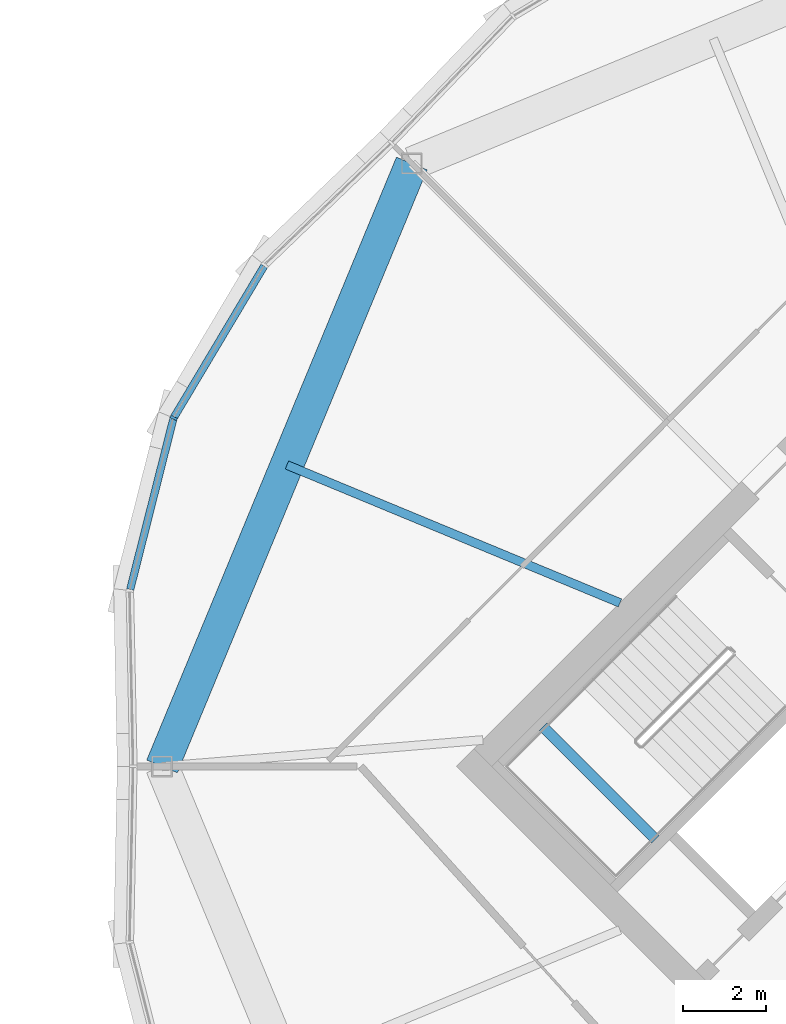
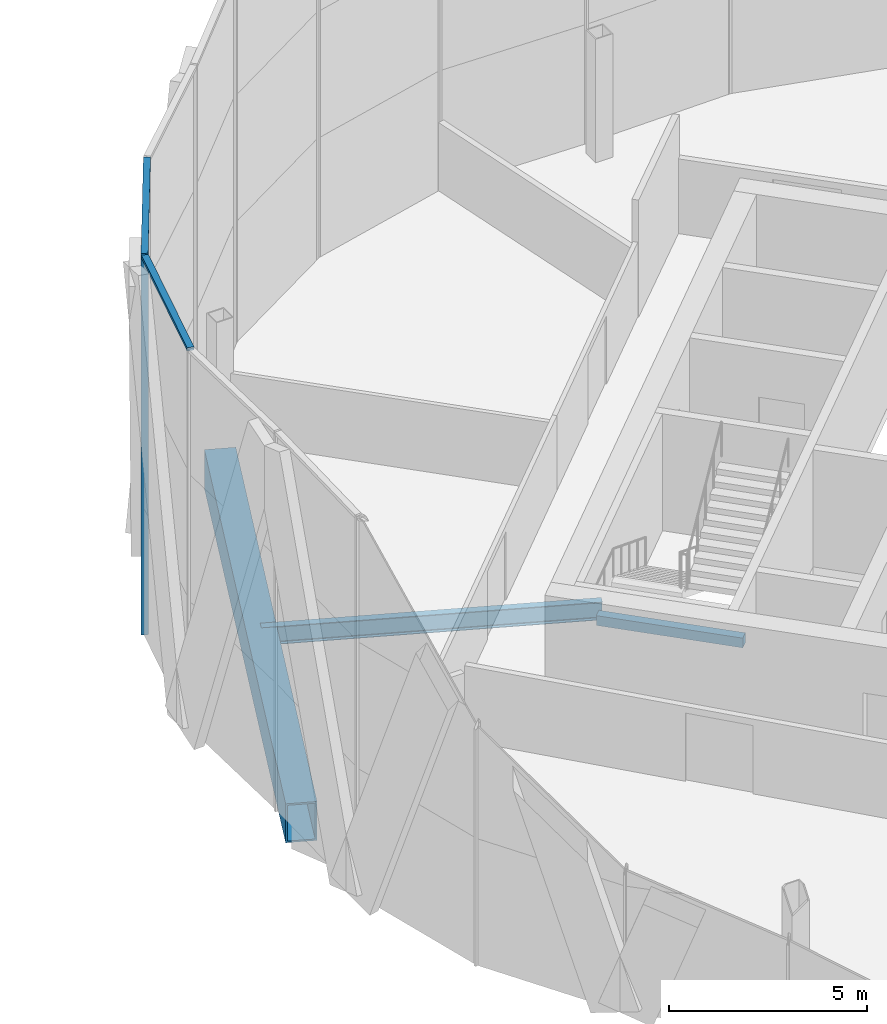
# One storey, part 10 of 25: 3 beams, 3 members, 1 element without a shape of its own.
"""IFC4 building model written with IfcOpenShell, lengths in metres."""

from ifc_helpers import new_model, si_unit, direction, frame, origin, origin_2d, place, context, subcontext, project, spatial, rectangle, hollow_rectangle, i_section, extrude, material, material_profile, profile_set, type_object, element, aggregate, save


model = new_model("IFC4")

# Units and contexts
model_context = context("Model", 3, precision=1e-05, world=origin(), true_north=direction((0.0, 1.0)))
body_context = subcontext(model_context, "Body", "Model", "MODEL_VIEW")
ifc_project = project(units=[si_unit("LENGTHUNIT", "METRE"), si_unit("AREAUNIT", "SQUARE_METRE"), si_unit("VOLUMEUNIT", "CUBIC_METRE"), si_unit("PLANEANGLEUNIT", "RADIAN"), si_unit("MASSUNIT", "GRAM", prefix="KILO")], contexts=[model_context])

# Site, building, storey
site_placement = place(None, origin())
site = spatial("IfcSite", under=ifc_project, at=site_placement, CompositionType="ELEMENT")
building_placement = place(site_placement, origin())
building = spatial("IfcBuilding", under=site, at=building_placement, Name="Ogive Gate Towers", CompositionType="ELEMENT")
storey_placement = place(building_placement, frame((0.0, 0.0, 196.800048828125)))
storey = spatial("IfcBuildingStorey", under=building, at=storey_placement, Name="L47", CompositionType="ELEMENT", Elevation=196.800048828125)

# Beams
ifc_material_1 = material(Name="Steel SM460", Category="steel")
ifc_material_profile_1 = material_profile(ifc_material_1, hollow_rectangle(XDim=0.800048828125, YDim=1.199951171875, WallThickness=0.050048828125, at=origin_2d()), Name="BX 1200x800x50")
ifc_profile_set_1 = profile_set([ifc_material_profile_1], Name="Steel SM460")
beam_type_1 = type_object("IfcBeamType", Name="Edge girder BX 1200x800x50", PredefinedType="BEAM", material=ifc_profile_set_1)
beam_1_placement = place(storey_placement, frame((21.490234375, 14.509765625, -0.900146484375), z_axis=(-0.38268953008, -0.923877006731, 0.0), x_axis=(0.923877006731, -0.38268953008, 0.0)))
element("IfcBeam", 1, at=beam_1_placement, inside=storey, type_object=beam_type_1, Name="T2/L47/SBM023", PredefinedType="BEAM", context=body_context, shape_type="SweptSolid", body=[
    extrude(hollow_rectangle(XDim=0.800048828125, YDim=1.199951171875, WallThickness=0.050048828125, at=origin_2d()), origin(), (0.0, 0.0, 1.0), 15.705322265625),
])
ifc_material_2 = material(Name="Concrete C40/50", Category="concrete")
ifc_material_profile_2 = material_profile(ifc_material_2, rectangle(XDim=0.25, YDim=0.300048828125, at=origin_2d()), Name="RC 250x300")
ifc_profile_set_2 = profile_set([ifc_material_profile_2], Name="Concrete C40/50")
beam_type_2 = type_object("IfcBeamType", Name="Landing bearer RC 250x300", PredefinedType="BEAM", material=ifc_profile_set_2)
beam_2_placement = place(storey_placement, frame((24.650390625, 0.9541015625, 1.599853515625), z_axis=(0.707106781187, -0.707106781187, 0.0), x_axis=(0.707106781187, 0.707106781187, 0.0)))
element("IfcBeam", 2, at=beam_2_placement, inside=storey, type_object=beam_type_2, Name="T2 L47 stair 1 landing bearer 1", PredefinedType="BEAM", context=body_context, shape_type="SweptSolid", body=[
    extrude(rectangle(XDim=0.25, YDim=0.300048828125, at=origin_2d()), origin(), (0.0, 0.0, 1.0), 3.824951171875),
])
ifc_material_3 = material(Name="Steel SM355", Category="steel")
ifc_material_profile_3 = material_profile(ifc_material_3, i_section(OverallWidth=0.2099609375, OverallDepth=0.550048828125, WebThickness=0.010986328125, FlangeThickness=0.01708984375, FilletRadius=0.02392578125, at=origin_2d()), Name="IPE 550")
ifc_profile_set_3 = profile_set([ifc_material_profile_3], Name="Steel SM355")
beam_type_3 = type_object("IfcBeamType", Name="Radial floor beam IPE 550", PredefinedType="BEAM", material=ifc_profile_set_3)
beam_3_placement = place(storey_placement, frame((26.5, 3.93505859375, -0.574951171875), z_axis=(-0.92388169199, 0.382678218882, 0.0), x_axis=(-0.382678218882, -0.92388169199, 0.0)))
element("IfcBeam", 3, at=beam_3_placement, inside=storey, type_object=beam_type_3, Name="T2/L47/SBM014", PredefinedType="BEAM", context=body_context, shape_type="SweptSolid", body=[
    extrude(i_section(OverallWidth=0.2099609375, OverallDepth=0.550048828125, WebThickness=0.010986328125, FlangeThickness=0.01708984375, FilletRadius=0.02392578125, at=origin_2d()), origin(), (0.0, 0.0, 1.0), 8.67529296875),
])

# Curtain wall, members
ifc_material_4 = material(Name="Pale metal aluminium", Category="aluminium")
curtain_wall_type = type_object("IfcCurtainWallType", Name="Tower unitised wall, high zone", PredefinedType="NOTDEFINED", material=ifc_material_4)
curtain_wall_placement = place(storey_placement, origin())
curtain_wall = element("IfcCurtainWall", 4, at=curtain_wall_placement, inside=storey, type_object=curtain_wall_type, Name="CW2 T2 ECW04", PredefinedType="NOTDEFINED")
ifc_material_profile_4 = material_profile(ifc_material_4, rectangle(XDim=0.179931640625, YDim=0.06005859375, at=origin_2d()), Name="60 x 180 aluminium box")
ifc_profile_set_4 = profile_set([ifc_material_profile_4], Name="Pale metal aluminium")
member_type_1 = type_object("IfcMemberType", Name="Tower unitised wall, high zone mullion 60 x 180", PredefinedType="MULLION", material=ifc_profile_set_4)
member_1_placement = place(storey_placement, frame((15.7568359375, 8.385009765625, -0.300048828125), z_axis=(0.0, 0.0, 1.0), x_axis=(-0.923879532511, 0.382683432365, 0.0)))
member_1 = element("IfcMember", 5, at=member_1_placement, type_object=member_type_1, Name="CW2 mullion", PredefinedType="MULLION", context=body_context, shape_type="SweptSolid", body=[
    extrude(rectangle(XDim=0.179931640625, YDim=0.06005859375, at=origin_2d()), origin(), (0.0, 0.0, 1.0), 11.699951171875),
])
ifc_material_profile_5 = material_profile(ifc_material_4, rectangle(XDim=0.179931640625, YDim=0.10009765625, at=origin_2d()), Name="100 x 180 aluminium box")
ifc_profile_set_5 = profile_set([ifc_material_profile_5], Name="Pale metal aluminium")
member_type_2 = type_object("IfcMemberType", Name="Tower unitised wall, high zone transom 100 x 180", PredefinedType="USERDEFINED", material=ifc_profile_set_5)
member_2_placement = place(storey_placement, frame((17.937744140625, 12.043212890625, 11.349853515625), z_axis=(-0.512057991899, -0.858950879232, 0.0), x_axis=(0.858950879232, -0.512057991899, 0.0)))
member_2 = element("IfcMember", 6, at=member_2_placement, type_object=member_type_2, Name="CW2 transom", ObjectType="TRANSOM", PredefinedType="USERDEFINED", context=body_context, shape_type="SweptSolid", body=[
    extrude(rectangle(XDim=0.179931640625, YDim=0.10009765625, at=origin_2d()), origin(), (0.0, 0.0, 1.0), 4.23046875),
])
member_3_placement = place(storey_placement, frame((15.75, 8.357421875, 11.349853515625), z_axis=(-0.245250248559, -0.969459806068, 0.0), x_axis=(0.969459806068, -0.245250248559, 0.0)))
member_3 = element("IfcMember", 7, at=member_3_placement, type_object=member_type_2, Name="CW2 transom", ObjectType="TRANSOM", PredefinedType="USERDEFINED", context=body_context, shape_type="SweptSolid", body=[
    extrude(rectangle(XDim=0.179931640625, YDim=0.10009765625, at=origin_2d()), origin(), (0.0, 0.0, 1.0), 4.230712890625),
])
aggregate(curtain_wall, [member_1, member_2, member_3])

save(model, "model.ifc")
